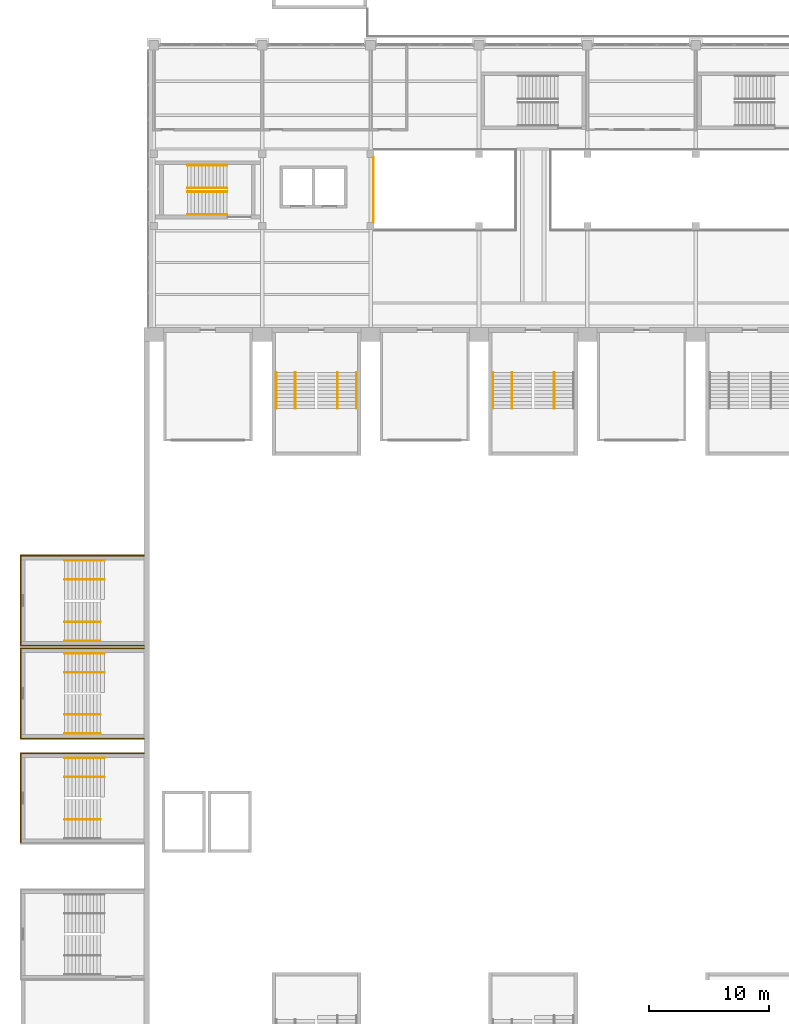
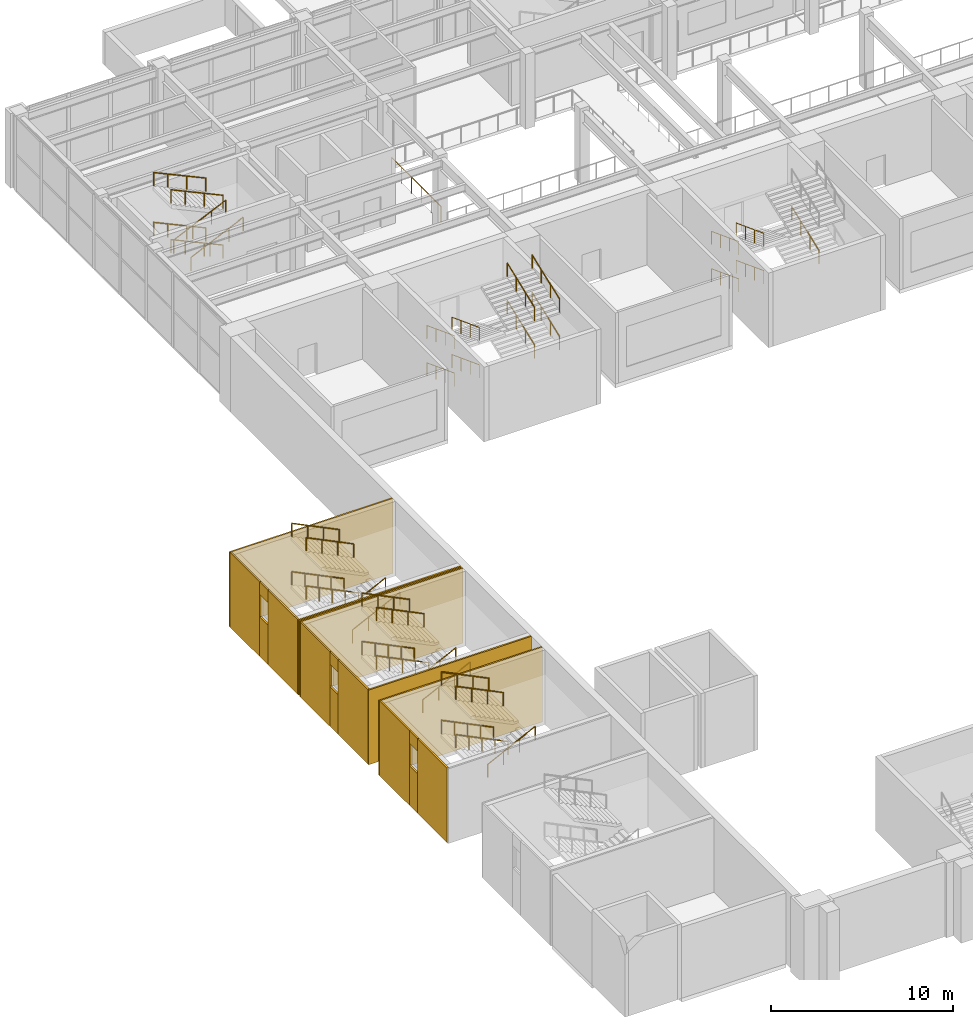
# One storey, part 56 of 67: 37 railings, 17 coverings.
"""IFC4 building model written with IfcOpenShell, lengths in metres."""

from ifc_helpers import new_model, si_unit, direction, frame, origin, origin_2d, place, context, subcontext, project, spatial, polyline, circle, outline, extrude, material, layer, layer_set, type_object, element, save


model = new_model("IFC4")

# Units and contexts
model_context = context("Model", 3, precision=1e-05, world=origin(), true_north=direction((0.0, 1.0)))
body_context = subcontext(model_context, "Body", "Model", "MODEL_VIEW")
ifc_project = project(units=[si_unit("LENGTHUNIT", "METRE"), si_unit("AREAUNIT", "SQUARE_METRE"), si_unit("VOLUMEUNIT", "CUBIC_METRE"), si_unit("PLANEANGLEUNIT", "RADIAN"), si_unit("MASSUNIT", "GRAM", prefix="KILO")], contexts=[model_context])

# Site, building, storey
site_placement = place(None, origin())
site = spatial("IfcSite", under=ifc_project, at=site_placement, CompositionType="ELEMENT")
building_placement = place(site_placement, origin())
building = spatial("IfcBuilding", under=site, at=building_placement, Name="Aravalli Gate Trade Fair Centre", CompositionType="ELEMENT")
storey_placement = place(building_placement, frame((0.0, 0.0, 5.0)))
storey = spatial("IfcBuildingStorey", under=building, at=storey_placement, Name="L01", CompositionType="ELEMENT", Elevation=5.0)

# Railings
ifc_material_1 = material(Name="Steel E350", Category="steel")
railing_type_1 = type_object("IfcRailingType", Name="Concourse guard 1100", PredefinedType="GUARDRAIL", material=ifc_material_1)
railing_1_placement = place(storey_placement, frame((24.25, 118.300048828125, 0.0)))
element("IfcRailing", 1, at=railing_1_placement, inside=storey, type_object=railing_type_1, Name="Atrium guard W L01", PredefinedType="GUARDRAIL", context=body_context, shape_type="SweptSolid", body=[
    extrude(circle(Radius=0.02392578125, at=origin_2d()), frame((0.0, 0.0, 1.076171875), z_axis=(0.0, 1.0, 0.0), x_axis=(-1.0, 0.0, 0.0)), (0.0, 0.0, 1.0), 5.39990234375),
    extrude(circle(Radius=0.02099609375, at=origin_2d()), origin(), (0.0, 0.0, 1.0), 1.052001953125),
    extrude(circle(Radius=0.02099609375, at=origin_2d()), frame((0.0, 1.080078125, 0.0)), (0.0, 0.0, 1.0), 1.052001953125),
    extrude(circle(Radius=0.02099609375, at=origin_2d()), frame((0.0, 2.159912109375, 0.0)), (0.0, 0.0, 1.0), 1.052001953125),
    extrude(circle(Radius=0.02099609375, at=origin_2d()), frame((0.0, 3.239990234375, 0.0)), (0.0, 0.0, 1.0), 1.052001953125),
    extrude(circle(Radius=0.02099609375, at=origin_2d()), frame((0.0, 4.31982421875, 0.0)), (0.0, 0.0, 1.0), 1.052001953125),
    extrude(circle(Radius=0.02099609375, at=origin_2d()), frame((0.0, 5.39990234375, 0.0)), (0.0, 0.0, 1.0), 1.052001953125),
])
railing_type_2 = type_object("IfcRailingType", Name="Concourse stair handrail 900", PredefinedType="HANDRAIL", material=ifc_material_1)
for number, where, name in (
    (2, (12.10009765625, 123.050048828125, 0.138916015625), "Handrail WS L01 flight 1o"),
    (3, (12.10009765625, 121.14990234375, 0.138916015625), "Handrail WS L01 flight 1i"),
):
    element("IfcRailing", number, at=place(storey_placement, frame(where)), inside=storey, type_object=railing_type_2, Name=name, PredefinedType="HANDRAIL", context=body_context, shape_type="SweptSolid", body=[
        extrude(circle(Radius=0.02392578125, at=origin_2d()), frame((0.0, 0.0, 0.8759765625), z_axis=(-0.907532064172, 0.0, 0.419982800242), x_axis=(0.0, -1.0, 0.0)), (0.0, 0.0, 1.0), 1.322509765625),
        extrude(circle(Radius=0.02392578125, at=origin_2d()), frame((-1.2001953125, 0.0, 1.43115234375), z_axis=(-0.907429102623, 0.0, 0.420205216189), x_axis=(0.0, -1.0, 0.0)), (0.0, 0.0, 1.0), 1.322265625),
        extrude(circle(Radius=0.02392578125, at=origin_2d()), frame((-2.400146484375, 0.0, 1.98681640625), z_axis=(-0.907418235185, 0.0, 0.420228683522), x_axis=(0.0, -1.0, 0.0)), (0.0, 0.0, 1.0), 0.99169921875),
        extrude(circle(Radius=0.02099609375, at=origin_2d()), origin(), (0.0, 0.0, 1.0), 0.851806640625),
        extrude(circle(Radius=0.02099609375, at=origin_2d()), frame((-1.2001953125, 0.0, 0.555419921875)), (0.0, 0.0, 1.0), 0.851806640625),
        extrude(circle(Radius=0.02099609375, at=origin_2d()), frame((-2.400146484375, 0.0, 1.111083984375)), (0.0, 0.0, 1.0), 0.851806640625),
        extrude(circle(Radius=0.02099609375, at=origin_2d()), frame((-3.300048828125, 0.0, 1.52783203125)), (0.0, 0.0, 1.0), 0.851806640625),
    ])
for number, where, name in (
    (4, (8.800048828125, 118.949951171875, 1.8056640625), "Handrail WS L01 flight 2o"),
    (5, (8.800048828125, 120.85009765625, 1.8056640625), "Handrail WS L01 flight 2i"),
):
    element("IfcRailing", number, at=place(storey_placement, frame(where)), inside=storey, type_object=railing_type_2, Name=name, PredefinedType="HANDRAIL", context=body_context, shape_type="SweptSolid", body=[
        extrude(circle(Radius=0.02392578125, at=origin_2d()), frame((0.0, 0.0, 0.8759765625), z_axis=(0.907499493834, 0.0, 0.420053173647), x_axis=(0.0, 1.0, 0.0)), (0.0, 0.0, 1.0), 1.322265625),
        extrude(circle(Radius=0.02392578125, at=origin_2d()), frame((1.199951171875, 0.0, 1.43115234375), z_axis=(0.907429102623, 0.0, 0.420205216189), x_axis=(0.0, 1.0, 0.0)), (0.0, 0.0, 1.0), 1.322265625),
        extrude(circle(Radius=0.02392578125, at=origin_2d()), frame((2.39990234375, 0.0, 1.98681640625), z_axis=(0.907555517655, 0.0, 0.419932116387), x_axis=(0.0, 1.0, 0.0)), (0.0, 0.0, 1.0), 0.991943359375),
        extrude(circle(Radius=0.02099609375, at=origin_2d()), origin(), (0.0, 0.0, 1.0), 0.851806640625),
        extrude(circle(Radius=0.02099609375, at=origin_2d()), frame((1.199951171875, 0.0, 0.555419921875)), (0.0, 0.0, 1.0), 0.851806640625),
        extrude(circle(Radius=0.02099609375, at=origin_2d()), frame((2.39990234375, 0.0, 1.111083984375)), (0.0, 0.0, 1.0), 0.851806640625),
        extrude(circle(Radius=0.02099609375, at=origin_2d()), frame((3.300048828125, 0.0, 1.527587890625)), (0.0, 0.0, 1.0), 0.851806640625),
    ])
for number, where, name in (
    (6, (12.10009765625, 123.050048828125, 3.47216796875), "Handrail WS L01 flight 3o"),
    (7, (12.10009765625, 121.14990234375, 3.47216796875), "Handrail WS L01 flight 3i"),
):
    element("IfcRailing", number, at=place(storey_placement, frame(where)), inside=storey, type_object=railing_type_2, Name=name, PredefinedType="HANDRAIL", context=body_context, shape_type="SweptSolid", body=[
        extrude(circle(Radius=0.02392578125, at=origin_2d()), frame((0.0, 0.0, 0.8759765625), z_axis=(-0.907461694017, 0.0, 0.420134828231), x_axis=(0.0, -1.0, 0.0)), (0.0, 0.0, 1.0), 1.322509765625),
        extrude(circle(Radius=0.02392578125, at=origin_2d()), frame((-1.2001953125, 0.0, 1.431640625), z_axis=(-0.907499493834, 0.0, 0.420053173647), x_axis=(0.0, -1.0, 0.0)), (0.0, 0.0, 1.0), 1.322265625),
        extrude(circle(Radius=0.02392578125, at=origin_2d()), frame((-2.400146484375, 0.0, 1.98681640625), z_axis=(-0.907418235185, 0.0, 0.420228683522), x_axis=(0.0, -1.0, 0.0)), (0.0, 0.0, 1.0), 0.99169921875),
        extrude(circle(Radius=0.02099609375, at=origin_2d()), origin(), (0.0, 0.0, 1.0), 0.851806640625),
        extrude(circle(Radius=0.02099609375, at=origin_2d()), frame((-1.2001953125, 0.0, 0.5556640625)), (0.0, 0.0, 1.0), 0.851806640625),
        extrude(circle(Radius=0.02099609375, at=origin_2d()), frame((-2.400146484375, 0.0, 1.111083984375)), (0.0, 0.0, 1.0), 0.851806640625),
        extrude(circle(Radius=0.02099609375, at=origin_2d()), frame((-3.300048828125, 0.0, 1.52783203125)), (0.0, 0.0, 1.0), 0.851806640625),
    ])

# Coverings
ifc_material_2 = material(Name="Terracotta", Category="masonry")
ifc_layer = layer(ifc_material_2, 0.10009765625)
ifc_layer_set = layer_set([ifc_layer], Name="Terracotta")
covering_type = type_object("IfcCoveringType", Name="End tower cladding 100", PredefinedType="CLADDING", material=ifc_layer_set)
covering_1_placement = place(storey_placement, origin())
element("IfcCovering", 8, at=covering_1_placement, inside=storey, type_object=covering_type, Name="End tower W2 cladding L01 side A", PredefinedType="CLADDING", context=body_context, shape_type="SweptSolid", body=[
    extrude(outline(polyline([(5.199951171875, 75.39990234375), (-5.10009765625, 75.39990234375), (-5.10009765625, 75.5), (5.199951171875, 75.5), (5.199951171875, 75.39990234375)])), origin(), (0.0, 0.0, 1.0), 5.0),
])
covering_2_placement = place(storey_placement, origin())
element("IfcCovering", 9, at=covering_2_placement, inside=storey, type_object=covering_type, Name="End tower W2 cladding L01 side B", PredefinedType="CLADDING", context=body_context, shape_type="SweptSolid", body=[
    extrude(outline(polyline([(5.199951171875, 82.89990234375), (-5.10009765625, 82.89990234375), (-5.10009765625, 83.0), (5.199951171875, 83.0), (5.199951171875, 82.89990234375)])), origin(), (0.0, 0.0, 1.0), 5.0),
])
covering_3_placement = place(storey_placement, origin())
element("IfcCovering", 10, at=covering_3_placement, inside=storey, type_object=covering_type, Name="End tower W2 cladding L01 far left", PredefinedType="CLADDING", context=body_context, shape_type="SweptSolid", body=[
    extrude(outline(polyline([(-5.0, 75.5), (-5.10009765625, 75.5), (-5.10009765625, 78.75), (-5.0, 78.75), (-5.0, 75.5)])), origin(), (0.0, 0.0, 1.0), 5.0),
])
covering_4_placement = place(storey_placement, origin())
element("IfcCovering", 11, at=covering_4_placement, inside=storey, type_object=covering_type, Name="End tower W2 cladding L01 far right", PredefinedType="CLADDING", context=body_context, shape_type="SweptSolid", body=[
    extrude(outline(polyline([(-5.0, 79.64990234375), (-5.10009765625, 79.64990234375), (-5.10009765625, 82.89990234375), (-5.0, 82.89990234375), (-5.0, 79.64990234375)])), origin(), (0.0, 0.0, 1.0), 5.0),
])
covering_5_placement = place(storey_placement, origin())
element("IfcCovering", 12, at=covering_5_placement, inside=storey, type_object=covering_type, Name="End tower W2 cladding L01 below the window", PredefinedType="CLADDING", context=body_context, shape_type="SweptSolid", body=[
    extrude(outline(polyline([(-5.0, 78.75), (-5.10009765625, 78.75), (-5.10009765625, 79.64990234375), (-5.0, 79.64990234375), (-5.0, 78.75)])), origin(), (0.0, 0.0, 1.0), 2.669921875),
])
covering_6_placement = place(storey_placement, frame((0.0, 0.0, 4.169921875)))
element("IfcCovering", 13, at=covering_6_placement, inside=storey, type_object=covering_type, Name="End tower W2 cladding L01 above the window", PredefinedType="CLADDING", context=body_context, shape_type="SweptSolid", body=[
    extrude(outline(polyline([(-5.0, 78.75), (-5.10009765625, 78.75), (-5.10009765625, 79.64990234375), (-5.0, 79.64990234375), (-5.0, 78.75)])), origin(), (0.0, 0.0, 1.0), 0.830078125),
])
covering_7_placement = place(storey_placement, origin())
element("IfcCovering", 14, at=covering_7_placement, inside=storey, type_object=covering_type, Name="End tower W4 cladding L01 side B", PredefinedType="CLADDING", context=body_context, shape_type="SweptSolid", body=[
    extrude(outline(polyline([(5.199951171875, 74.199951171875), (-5.10009765625, 74.199951171875), (-5.10009765625, 74.300048828125), (5.199951171875, 74.300048828125), (5.199951171875, 74.199951171875)])), origin(), (0.0, 0.0, 1.0), 5.0),
])
covering_8_placement = place(storey_placement, origin())
element("IfcCovering", 15, at=covering_8_placement, inside=storey, type_object=covering_type, Name="End tower W4 cladding L01 far left", PredefinedType="CLADDING", context=body_context, shape_type="SweptSolid", body=[
    extrude(outline(polyline([(-5.0, 66.800048828125), (-5.10009765625, 66.800048828125), (-5.10009765625, 70.050048828125), (-5.0, 70.050048828125), (-5.0, 66.800048828125)])), origin(), (0.0, 0.0, 1.0), 5.0),
])
covering_9_placement = place(storey_placement, origin())
element("IfcCovering", 16, at=covering_9_placement, inside=storey, type_object=covering_type, Name="End tower W4 cladding L01 far right", PredefinedType="CLADDING", context=body_context, shape_type="SweptSolid", body=[
    extrude(outline(polyline([(-5.0, 70.949951171875), (-5.10009765625, 70.949951171875), (-5.10009765625, 74.199951171875), (-5.0, 74.199951171875), (-5.0, 70.949951171875)])), origin(), (0.0, 0.0, 1.0), 5.0),
])
covering_10_placement = place(storey_placement, origin())
element("IfcCovering", 17, at=covering_10_placement, inside=storey, type_object=covering_type, Name="End tower W4 cladding L01 below the window", PredefinedType="CLADDING", context=body_context, shape_type="SweptSolid", body=[
    extrude(outline(polyline([(-5.0, 70.050048828125), (-5.10009765625, 70.050048828125), (-5.10009765625, 70.949951171875), (-5.0, 70.949951171875), (-5.0, 70.050048828125)])), origin(), (0.0, 0.0, 1.0), 2.669921875),
])
covering_11_placement = place(storey_placement, frame((0.0, 0.0, 4.169921875)))
element("IfcCovering", 18, at=covering_11_placement, inside=storey, type_object=covering_type, Name="End tower W4 cladding L01 above the window", PredefinedType="CLADDING", context=body_context, shape_type="SweptSolid", body=[
    extrude(outline(polyline([(-5.0, 70.050048828125), (-5.10009765625, 70.050048828125), (-5.10009765625, 70.949951171875), (-5.0, 70.949951171875), (-5.0, 70.050048828125)])), origin(), (0.0, 0.0, 1.0), 0.830078125),
])
covering_12_placement = place(storey_placement, origin())
element("IfcCovering", 19, at=covering_12_placement, inside=storey, type_object=covering_type, Name="End tower W5 cladding L01 side A", PredefinedType="CLADDING", context=body_context, shape_type="SweptSolid", body=[
    extrude(outline(polyline([(5.199951171875, 83.10009765625), (-5.10009765625, 83.10009765625), (-5.10009765625, 83.199951171875), (5.199951171875, 83.199951171875), (5.199951171875, 83.10009765625)])), origin(), (0.0, 0.0, 1.0), 5.0),
])
covering_13_placement = place(storey_placement, origin())
element("IfcCovering", 20, at=covering_13_placement, inside=storey, type_object=covering_type, Name="End tower W5 cladding L01 side B", PredefinedType="CLADDING", context=body_context, shape_type="SweptSolid", body=[
    extrude(outline(polyline([(5.199951171875, 90.60009765625), (-5.10009765625, 90.60009765625), (-5.10009765625, 90.699951171875), (5.199951171875, 90.699951171875), (5.199951171875, 90.60009765625)])), origin(), (0.0, 0.0, 1.0), 5.0),
])
covering_14_placement = place(storey_placement, origin())
element("IfcCovering", 21, at=covering_14_placement, inside=storey, type_object=covering_type, Name="End tower W5 cladding L01 far left", PredefinedType="CLADDING", context=body_context, shape_type="SweptSolid", body=[
    extrude(outline(polyline([(-5.0, 83.199951171875), (-5.10009765625, 83.199951171875), (-5.10009765625, 86.449951171875), (-5.0, 86.449951171875), (-5.0, 83.199951171875)])), origin(), (0.0, 0.0, 1.0), 5.0),
])
covering_15_placement = place(storey_placement, origin())
element("IfcCovering", 22, at=covering_15_placement, inside=storey, type_object=covering_type, Name="End tower W5 cladding L01 far right", PredefinedType="CLADDING", context=body_context, shape_type="SweptSolid", body=[
    extrude(outline(polyline([(-5.0, 87.35009765625), (-5.10009765625, 87.35009765625), (-5.10009765625, 90.60009765625), (-5.0, 90.60009765625), (-5.0, 87.35009765625)])), origin(), (0.0, 0.0, 1.0), 5.0),
])
covering_16_placement = place(storey_placement, origin())
element("IfcCovering", 23, at=covering_16_placement, inside=storey, type_object=covering_type, Name="End tower W5 cladding L01 below the window", PredefinedType="CLADDING", context=body_context, shape_type="SweptSolid", body=[
    extrude(outline(polyline([(-5.0, 86.449951171875), (-5.10009765625, 86.449951171875), (-5.10009765625, 87.35009765625), (-5.0, 87.35009765625), (-5.0, 86.449951171875)])), origin(), (0.0, 0.0, 1.0), 2.669921875),
])
covering_17_placement = place(storey_placement, frame((0.0, 0.0, 4.169921875)))
element("IfcCovering", 24, at=covering_17_placement, inside=storey, type_object=covering_type, Name="End tower W5 cladding L01 above the window", PredefinedType="CLADDING", context=body_context, shape_type="SweptSolid", body=[
    extrude(outline(polyline([(-5.0, 86.449951171875), (-5.10009765625, 86.449951171875), (-5.10009765625, 87.35009765625), (-5.0, 87.35009765625), (-5.0, 86.449951171875)])), origin(), (0.0, 0.0, 1.0), 0.830078125),
])

# Railings
railing_type_3 = type_object("IfcRailingType", Name="Stair handrail 900", PredefinedType="HANDRAIL", material=ifc_material_1)
for number, where, name in (
    (25, (16.169921875, 105.85009765625, 0.113525390625), "Handrail N02 L01 1"),
    (26, (17.75, 105.85009765625, 0.113525390625), "Handrail centre N02 L01 2"),
):
    element("IfcRailing", number, at=place(storey_placement, frame(where)), inside=storey, type_object=railing_type_3, Name=name, PredefinedType="HANDRAIL", context=body_context, shape_type="SweptSolid", body=[
        extrude(circle(Radius=0.02392578125, at=origin_2d()), frame((0.0, 0.0, 0.8759765625), z_axis=(0.0, -0.935147985876, 0.354257313985), x_axis=(1.0, 0.0, 0.0)), (0.0, 0.0, 1.0), 3.2080078125),
        extrude(circle(Radius=0.02099609375, at=origin_2d()), origin(), (0.0, 0.0, 1.0), 0.851806640625),
        extrude(circle(Radius=0.02099609375, at=origin_2d()), frame((0.0, -1.0, 0.37890625)), (0.0, 0.0, 1.0), 0.851806640625),
        extrude(circle(Radius=0.02099609375, at=origin_2d()), frame((0.0, -2.0, 0.757568359375)), (0.0, 0.0, 1.0), 0.851806640625),
        extrude(circle(Radius=0.02099609375, at=origin_2d()), frame((0.0, -3.0, 1.136474609375)), (0.0, 0.0, 1.0), 0.851806640625),
    ])
for number, where, name in (
    (27, (22.830078125, 102.85009765625, 1.363525390625), "Handrail N02 L01 3"),
    (28, (21.25, 102.85009765625, 1.363525390625), "Handrail centre N02 L01 4"),
):
    element("IfcRailing", number, at=place(storey_placement, frame(where)), inside=storey, type_object=railing_type_3, Name=name, PredefinedType="HANDRAIL", context=body_context, shape_type="SweptSolid", body=[
        extrude(circle(Radius=0.02392578125, at=origin_2d()), frame((0.0, 0.0, 0.8759765625), z_axis=(0.0, 0.935147985876, 0.354257313985), x_axis=(-1.0, 0.0, 0.0)), (0.0, 0.0, 1.0), 3.2080078125),
        extrude(circle(Radius=0.02099609375, at=origin_2d()), origin(), (0.0, 0.0, 1.0), 0.851806640625),
        extrude(circle(Radius=0.02099609375, at=origin_2d()), frame((0.0, 1.0, 0.37890625)), (0.0, 0.0, 1.0), 0.851806640625),
        extrude(circle(Radius=0.02099609375, at=origin_2d()), frame((0.0, 2.0, 0.757568359375)), (0.0, 0.0, 1.0), 0.851806640625),
        extrude(circle(Radius=0.02099609375, at=origin_2d()), frame((0.0, 3.0, 1.136474609375)), (0.0, 0.0, 1.0), 0.851806640625),
    ])
for number, where, name in (
    (29, (16.169921875, 105.85009765625, 2.613525390625), "Handrail N02 L01 5"),
    (30, (17.75, 105.85009765625, 2.613525390625), "Handrail centre N02 L01 6"),
):
    element("IfcRailing", number, at=place(storey_placement, frame(where)), inside=storey, type_object=railing_type_3, Name=name, PredefinedType="HANDRAIL", context=body_context, shape_type="SweptSolid", body=[
        extrude(circle(Radius=0.02392578125, at=origin_2d()), frame((0.0, 0.0, 0.8759765625), z_axis=(0.0, -0.935147985876, 0.354257313985), x_axis=(1.0, 0.0, 0.0)), (0.0, 0.0, 1.0), 3.2080078125),
        extrude(circle(Radius=0.02099609375, at=origin_2d()), origin(), (0.0, 0.0, 1.0), 0.851806640625),
        extrude(circle(Radius=0.02099609375, at=origin_2d()), frame((0.0, -1.0, 0.37890625)), (0.0, 0.0, 1.0), 0.851806640625),
        extrude(circle(Radius=0.02099609375, at=origin_2d()), frame((0.0, -2.0, 0.757568359375)), (0.0, 0.0, 1.0), 0.851806640625),
        extrude(circle(Radius=0.02099609375, at=origin_2d()), frame((0.0, -3.0, 1.136474609375)), (0.0, 0.0, 1.0), 0.851806640625),
    ])
for number, where, name in (
    (31, (22.830078125, 102.85009765625, 3.863525390625), "Handrail N02 L01 7"),
    (32, (21.25, 102.85009765625, 3.863525390625), "Handrail centre N02 L01 8"),
):
    element("IfcRailing", number, at=place(storey_placement, frame(where)), inside=storey, type_object=railing_type_3, Name=name, PredefinedType="HANDRAIL", context=body_context, shape_type="SweptSolid", body=[
        extrude(circle(Radius=0.02392578125, at=origin_2d()), frame((0.0, 0.0, 0.8759765625), z_axis=(0.0, 0.935147985876, 0.354257313985), x_axis=(-1.0, 0.0, 0.0)), (0.0, 0.0, 1.0), 3.2080078125),
        extrude(circle(Radius=0.02099609375, at=origin_2d()), origin(), (0.0, 0.0, 1.0), 0.851806640625),
        extrude(circle(Radius=0.02099609375, at=origin_2d()), frame((0.0, 1.0, 0.37890625)), (0.0, 0.0, 1.0), 0.851806640625),
        extrude(circle(Radius=0.02099609375, at=origin_2d()), frame((0.0, 2.0, 0.757568359375)), (0.0, 0.0, 1.0), 0.851806640625),
        extrude(circle(Radius=0.02099609375, at=origin_2d()), frame((0.0, 3.0, 1.136474609375)), (0.0, 0.0, 1.0), 0.851806640625),
    ])
for number, where, name in (
    (33, (34.169921875, 105.85009765625, 0.113525390625), "Handrail N04 L01 1"),
    (34, (35.75, 105.85009765625, 0.113525390625), "Handrail centre N04 L01 2"),
):
    element("IfcRailing", number, at=place(storey_placement, frame(where)), inside=storey, type_object=railing_type_3, Name=name, PredefinedType="HANDRAIL", context=body_context, shape_type="SweptSolid", body=[
        extrude(circle(Radius=0.02392578125, at=origin_2d()), frame((0.0, 0.0, 0.8759765625), z_axis=(0.0, -0.935147985876, 0.354257313985), x_axis=(1.0, 0.0, 0.0)), (0.0, 0.0, 1.0), 3.2080078125),
        extrude(circle(Radius=0.02099609375, at=origin_2d()), origin(), (0.0, 0.0, 1.0), 0.851806640625),
        extrude(circle(Radius=0.02099609375, at=origin_2d()), frame((0.0, -1.0, 0.37890625)), (0.0, 0.0, 1.0), 0.851806640625),
        extrude(circle(Radius=0.02099609375, at=origin_2d()), frame((0.0, -2.0, 0.757568359375)), (0.0, 0.0, 1.0), 0.851806640625),
        extrude(circle(Radius=0.02099609375, at=origin_2d()), frame((0.0, -3.0, 1.136474609375)), (0.0, 0.0, 1.0), 0.851806640625),
    ])
railing_2_placement = place(storey_placement, frame((39.25, 102.85009765625, 1.363525390625)))
element("IfcRailing", 35, at=railing_2_placement, inside=storey, type_object=railing_type_3, Name="Handrail centre N04 L01 4", PredefinedType="HANDRAIL", context=body_context, shape_type="SweptSolid", body=[
    extrude(circle(Radius=0.02392578125, at=origin_2d()), frame((0.0, 0.0, 0.8759765625), z_axis=(0.0, 0.935147985876, 0.354257313985), x_axis=(-1.0, 0.0, 0.0)), (0.0, 0.0, 1.0), 3.2080078125),
    extrude(circle(Radius=0.02099609375, at=origin_2d()), origin(), (0.0, 0.0, 1.0), 0.851806640625),
    extrude(circle(Radius=0.02099609375, at=origin_2d()), frame((0.0, 1.0, 0.37890625)), (0.0, 0.0, 1.0), 0.851806640625),
    extrude(circle(Radius=0.02099609375, at=origin_2d()), frame((0.0, 2.0, 0.757568359375)), (0.0, 0.0, 1.0), 0.851806640625),
    extrude(circle(Radius=0.02099609375, at=origin_2d()), frame((0.0, 3.0, 1.136474609375)), (0.0, 0.0, 1.0), 0.851806640625),
])
for number, where, name in (
    (36, (34.169921875, 105.85009765625, 2.613525390625), "Handrail N04 L01 5"),
    (37, (35.75, 105.85009765625, 2.613525390625), "Handrail centre N04 L01 6"),
):
    element("IfcRailing", number, at=place(storey_placement, frame(where)), inside=storey, type_object=railing_type_3, Name=name, PredefinedType="HANDRAIL", context=body_context, shape_type="SweptSolid", body=[
        extrude(circle(Radius=0.02392578125, at=origin_2d()), frame((0.0, 0.0, 0.8759765625), z_axis=(0.0, -0.935147985876, 0.354257313985), x_axis=(1.0, 0.0, 0.0)), (0.0, 0.0, 1.0), 3.2080078125),
        extrude(circle(Radius=0.02099609375, at=origin_2d()), origin(), (0.0, 0.0, 1.0), 0.851806640625),
        extrude(circle(Radius=0.02099609375, at=origin_2d()), frame((0.0, -1.0, 0.37890625)), (0.0, 0.0, 1.0), 0.851806640625),
        extrude(circle(Radius=0.02099609375, at=origin_2d()), frame((0.0, -2.0, 0.757568359375)), (0.0, 0.0, 1.0), 0.851806640625),
        extrude(circle(Radius=0.02099609375, at=origin_2d()), frame((0.0, -3.0, 1.136474609375)), (0.0, 0.0, 1.0), 0.851806640625),
    ])
for number, where, name in (
    (38, (1.89990234375, 82.530029296875, 0.147216796875), "Handrail W2 L01 1"),
    (39, (1.89990234375, 80.949951171875, 0.147216796875), "Handrail centre W2 L01 2"),
):
    element("IfcRailing", number, at=place(storey_placement, frame(where)), inside=storey, type_object=railing_type_3, Name=name, PredefinedType="HANDRAIL", context=body_context, shape_type="SweptSolid", body=[
        extrude(circle(Radius=0.02392578125, at=origin_2d()), frame((0.0, 0.0, 0.8759765625), z_axis=(-0.897933593325, 0.0, 0.440130960031), x_axis=(0.0, -1.0, 0.0)), (0.0, 0.0, 1.0), 3.6748046875),
        extrude(circle(Radius=0.02099609375, at=origin_2d()), origin(), (0.0, 0.0, 1.0), 0.851806640625),
        extrude(circle(Radius=0.02099609375, at=origin_2d()), frame((-0.824951171875, 0.0, 0.404296875)), (0.0, 0.0, 1.0), 0.851806640625),
        extrude(circle(Radius=0.02099609375, at=origin_2d()), frame((-1.64990234375, 0.0, 0.80859375)), (0.0, 0.0, 1.0), 0.851806640625),
        extrude(circle(Radius=0.02099609375, at=origin_2d()), frame((-2.474853515625, 0.0, 1.213134765625)), (0.0, 0.0, 1.0), 0.851806640625),
        extrude(circle(Radius=0.02099609375, at=origin_2d()), frame((-3.2998046875, 0.0, 1.617431640625)), (0.0, 0.0, 1.0), 0.851806640625),
    ])
for number, where, name in (
    (40, (-1.39990234375, 75.8701171875, 1.911865234375), "Handrail W2 L01 3"),
    (41, (-1.39990234375, 77.449951171875, 1.911865234375), "Handrail centre W2 L01 4"),
):
    element("IfcRailing", number, at=place(storey_placement, frame(where)), inside=storey, type_object=railing_type_3, Name=name, PredefinedType="HANDRAIL", context=body_context, shape_type="SweptSolid", body=[
        extrude(circle(Radius=0.02392578125, at=origin_2d()), frame((0.0, 0.0, 0.8759765625), z_axis=(0.897936012048, 0.0, 0.440126025437), x_axis=(0.0, 1.0, 0.0)), (0.0, 0.0, 1.0), 3.341064453125),
        extrude(circle(Radius=0.02099609375, at=origin_2d()), origin(), (0.0, 0.0, 1.0), 0.851806640625),
        extrude(circle(Radius=0.02099609375, at=origin_2d()), frame((1.0, 0.0, 0.490234375)), (0.0, 0.0, 1.0), 0.851806640625),
        extrude(circle(Radius=0.02099609375, at=origin_2d()), frame((2.0, 0.0, 0.980224609375)), (0.0, 0.0, 1.0), 0.851806640625),
        extrude(circle(Radius=0.02099609375, at=origin_2d()), frame((3.0, 0.0, 1.470458984375)), (0.0, 0.0, 1.0), 0.851806640625),
    ])
for number, where, name in (
    (42, (1.60009765625, 82.530029296875, 3.529296875), "Handrail W2 L01 5"),
    (43, (1.60009765625, 80.949951171875, 3.529296875), "Handrail centre W2 L01 6"),
):
    element("IfcRailing", number, at=place(storey_placement, frame(where)), inside=storey, type_object=railing_type_3, Name=name, PredefinedType="HANDRAIL", context=body_context, shape_type="SweptSolid", body=[
        extrude(circle(Radius=0.02392578125, at=origin_2d()), frame((0.0, 0.0, 0.8759765625), z_axis=(-0.897907131747, 0.0, 0.44018494154), x_axis=(0.0, -1.0, 0.0)), (0.0, 0.0, 1.0), 3.341064453125),
        extrude(circle(Radius=0.02099609375, at=origin_2d()), origin(), (0.0, 0.0, 1.0), 0.851806640625),
        extrude(circle(Radius=0.02099609375, at=origin_2d()), frame((-1.0, 0.0, 0.490234375)), (0.0, 0.0, 1.0), 0.851806640625),
        extrude(circle(Radius=0.02099609375, at=origin_2d()), frame((-2.0, 0.0, 0.98046875)), (0.0, 0.0, 1.0), 0.851806640625),
        extrude(circle(Radius=0.02099609375, at=origin_2d()), frame((-3.0, 0.0, 1.470703125)), (0.0, 0.0, 1.0), 0.851806640625),
    ])
for number, where, name in (
    (44, (1.89990234375, 73.830078125, 0.147216796875), "Handrail W4 L01 1"),
    (45, (1.89990234375, 72.25, 0.147216796875), "Handrail centre W4 L01 2"),
):
    element("IfcRailing", number, at=place(storey_placement, frame(where)), inside=storey, type_object=railing_type_3, Name=name, PredefinedType="HANDRAIL", context=body_context, shape_type="SweptSolid", body=[
        extrude(circle(Radius=0.02392578125, at=origin_2d()), frame((0.0, 0.0, 0.8759765625), z_axis=(-0.897933593325, 0.0, 0.440130960031), x_axis=(0.0, -1.0, 0.0)), (0.0, 0.0, 1.0), 3.6748046875),
        extrude(circle(Radius=0.02099609375, at=origin_2d()), origin(), (0.0, 0.0, 1.0), 0.851806640625),
        extrude(circle(Radius=0.02099609375, at=origin_2d()), frame((-0.824951171875, 0.0, 0.404296875)), (0.0, 0.0, 1.0), 0.851806640625),
        extrude(circle(Radius=0.02099609375, at=origin_2d()), frame((-1.64990234375, 0.0, 0.80859375)), (0.0, 0.0, 1.0), 0.851806640625),
        extrude(circle(Radius=0.02099609375, at=origin_2d()), frame((-2.474853515625, 0.0, 1.213134765625)), (0.0, 0.0, 1.0), 0.851806640625),
        extrude(circle(Radius=0.02099609375, at=origin_2d()), frame((-3.2998046875, 0.0, 1.617431640625)), (0.0, 0.0, 1.0), 0.851806640625),
    ])
railing_3_placement = place(storey_placement, frame((-1.39990234375, 68.75, 1.911865234375)))
element("IfcRailing", 46, at=railing_3_placement, inside=storey, type_object=railing_type_3, Name="Handrail centre W4 L01 4", PredefinedType="HANDRAIL", context=body_context, shape_type="SweptSolid", body=[
    extrude(circle(Radius=0.02392578125, at=origin_2d()), frame((0.0, 0.0, 0.8759765625), z_axis=(0.897936012048, 0.0, 0.440126025437), x_axis=(0.0, 1.0, 0.0)), (0.0, 0.0, 1.0), 3.341064453125),
    extrude(circle(Radius=0.02099609375, at=origin_2d()), origin(), (0.0, 0.0, 1.0), 0.851806640625),
    extrude(circle(Radius=0.02099609375, at=origin_2d()), frame((1.0, 0.0, 0.490234375)), (0.0, 0.0, 1.0), 0.851806640625),
    extrude(circle(Radius=0.02099609375, at=origin_2d()), frame((2.0, 0.0, 0.980224609375)), (0.0, 0.0, 1.0), 0.851806640625),
    extrude(circle(Radius=0.02099609375, at=origin_2d()), frame((3.0, 0.0, 1.470458984375)), (0.0, 0.0, 1.0), 0.851806640625),
])
for number, where, name in (
    (47, (1.60009765625, 73.830078125, 3.529296875), "Handrail W4 L01 5"),
    (48, (1.60009765625, 72.25, 3.529296875), "Handrail centre W4 L01 6"),
):
    element("IfcRailing", number, at=place(storey_placement, frame(where)), inside=storey, type_object=railing_type_3, Name=name, PredefinedType="HANDRAIL", context=body_context, shape_type="SweptSolid", body=[
        extrude(circle(Radius=0.02392578125, at=origin_2d()), frame((0.0, 0.0, 0.8759765625), z_axis=(-0.897907131747, 0.0, 0.44018494154), x_axis=(0.0, -1.0, 0.0)), (0.0, 0.0, 1.0), 3.341064453125),
        extrude(circle(Radius=0.02099609375, at=origin_2d()), origin(), (0.0, 0.0, 1.0), 0.851806640625),
        extrude(circle(Radius=0.02099609375, at=origin_2d()), frame((-1.0, 0.0, 0.490234375)), (0.0, 0.0, 1.0), 0.851806640625),
        extrude(circle(Radius=0.02099609375, at=origin_2d()), frame((-2.0, 0.0, 0.98046875)), (0.0, 0.0, 1.0), 0.851806640625),
        extrude(circle(Radius=0.02099609375, at=origin_2d()), frame((-3.0, 0.0, 1.470703125)), (0.0, 0.0, 1.0), 0.851806640625),
    ])
for number, where, name in (
    (49, (1.89990234375, 90.22998046875, 0.147216796875), "Handrail W5 L01 1"),
    (50, (1.89990234375, 88.64990234375, 0.147216796875), "Handrail centre W5 L01 2"),
):
    element("IfcRailing", number, at=place(storey_placement, frame(where)), inside=storey, type_object=railing_type_3, Name=name, PredefinedType="HANDRAIL", context=body_context, shape_type="SweptSolid", body=[
        extrude(circle(Radius=0.02392578125, at=origin_2d()), frame((0.0, 0.0, 0.8759765625), z_axis=(-0.897933593325, 0.0, 0.440130960031), x_axis=(0.0, -1.0, 0.0)), (0.0, 0.0, 1.0), 3.6748046875),
        extrude(circle(Radius=0.02099609375, at=origin_2d()), origin(), (0.0, 0.0, 1.0), 0.851806640625),
        extrude(circle(Radius=0.02099609375, at=origin_2d()), frame((-0.824951171875, 0.0, 0.404296875)), (0.0, 0.0, 1.0), 0.851806640625),
        extrude(circle(Radius=0.02099609375, at=origin_2d()), frame((-1.64990234375, 0.0, 0.80859375)), (0.0, 0.0, 1.0), 0.851806640625),
        extrude(circle(Radius=0.02099609375, at=origin_2d()), frame((-2.474853515625, 0.0, 1.213134765625)), (0.0, 0.0, 1.0), 0.851806640625),
        extrude(circle(Radius=0.02099609375, at=origin_2d()), frame((-3.2998046875, 0.0, 1.617431640625)), (0.0, 0.0, 1.0), 0.851806640625),
    ])
for number, where, name in (
    (51, (-1.39990234375, 83.570068359375, 1.911865234375), "Handrail W5 L01 3"),
    (52, (-1.39990234375, 85.14990234375, 1.911865234375), "Handrail centre W5 L01 4"),
):
    element("IfcRailing", number, at=place(storey_placement, frame(where)), inside=storey, type_object=railing_type_3, Name=name, PredefinedType="HANDRAIL", context=body_context, shape_type="SweptSolid", body=[
        extrude(circle(Radius=0.02392578125, at=origin_2d()), frame((0.0, 0.0, 0.8759765625), z_axis=(0.897936012048, 0.0, 0.440126025437), x_axis=(0.0, 1.0, 0.0)), (0.0, 0.0, 1.0), 3.341064453125),
        extrude(circle(Radius=0.02099609375, at=origin_2d()), origin(), (0.0, 0.0, 1.0), 0.851806640625),
        extrude(circle(Radius=0.02099609375, at=origin_2d()), frame((1.0, 0.0, 0.490234375)), (0.0, 0.0, 1.0), 0.851806640625),
        extrude(circle(Radius=0.02099609375, at=origin_2d()), frame((2.0, 0.0, 0.980224609375)), (0.0, 0.0, 1.0), 0.851806640625),
        extrude(circle(Radius=0.02099609375, at=origin_2d()), frame((3.0, 0.0, 1.470458984375)), (0.0, 0.0, 1.0), 0.851806640625),
    ])
for number, where, name in (
    (53, (1.60009765625, 90.22998046875, 3.529296875), "Handrail W5 L01 5"),
    (54, (1.60009765625, 88.64990234375, 3.529296875), "Handrail centre W5 L01 6"),
):
    element("IfcRailing", number, at=place(storey_placement, frame(where)), inside=storey, type_object=railing_type_3, Name=name, PredefinedType="HANDRAIL", context=body_context, shape_type="SweptSolid", body=[
        extrude(circle(Radius=0.02392578125, at=origin_2d()), frame((0.0, 0.0, 0.8759765625), z_axis=(-0.897907131747, 0.0, 0.44018494154), x_axis=(0.0, -1.0, 0.0)), (0.0, 0.0, 1.0), 3.341064453125),
        extrude(circle(Radius=0.02099609375, at=origin_2d()), origin(), (0.0, 0.0, 1.0), 0.851806640625),
        extrude(circle(Radius=0.02099609375, at=origin_2d()), frame((-1.0, 0.0, 0.490234375)), (0.0, 0.0, 1.0), 0.851806640625),
        extrude(circle(Radius=0.02099609375, at=origin_2d()), frame((-2.0, 0.0, 0.98046875)), (0.0, 0.0, 1.0), 0.851806640625),
        extrude(circle(Radius=0.02099609375, at=origin_2d()), frame((-3.0, 0.0, 1.470703125)), (0.0, 0.0, 1.0), 0.851806640625),
    ])

save(model, "model.ifc")
